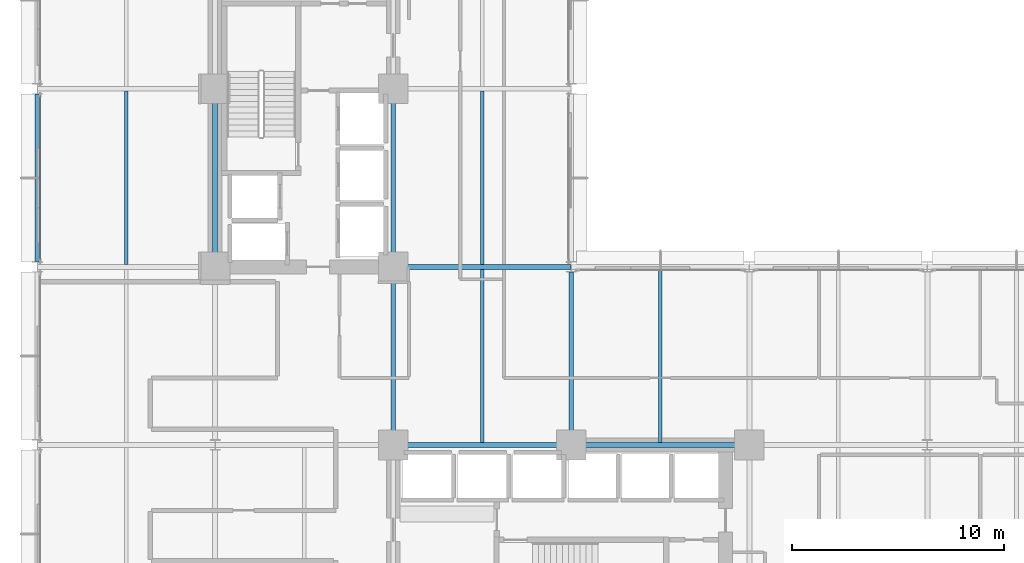
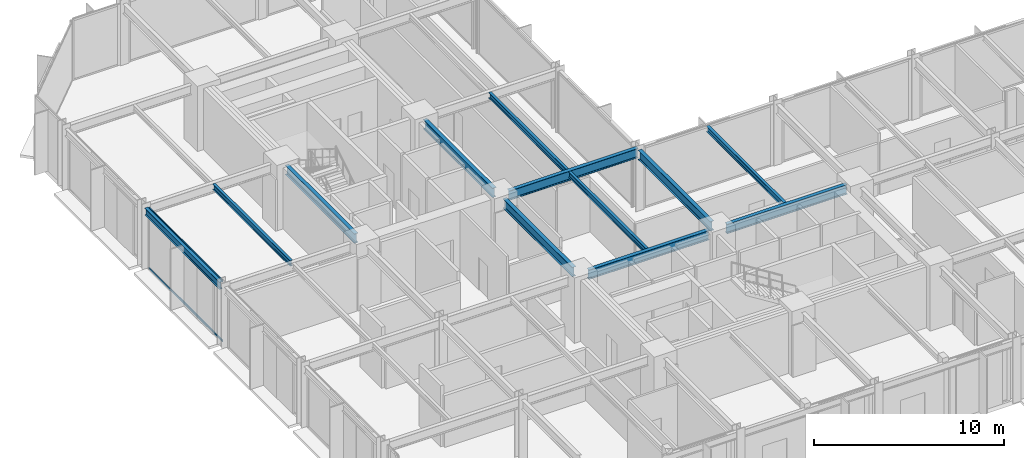
# One storey, part 9 of 30: 12 beams, 2 members, 1 element without a shape of its own.
"""IFC4 building model written with IfcOpenShell, lengths in metres."""

from ifc_helpers import new_model, si_unit, direction, frame, origin, origin_2d, place, context, subcontext, project, spatial, hollow_rectangle, i_section, extrude, material, layer, layer_set, material_profile, profile_set, type_object, element, aggregate, save


model = new_model("IFC4")

# Units and contexts
model_context = context("Model", 3, precision=1e-05, world=origin(), true_north=direction((0.0, 1.0)))
body_context = subcontext(model_context, "Body", "Model", "MODEL_VIEW")
ifc_project = project(units=[si_unit("LENGTHUNIT", "METRE"), si_unit("AREAUNIT", "SQUARE_METRE"), si_unit("VOLUMEUNIT", "CUBIC_METRE"), si_unit("PLANEANGLEUNIT", "RADIAN"), si_unit("MASSUNIT", "GRAM", prefix="KILO")], contexts=[model_context])

# Site, building, storey
site_placement = place(None, origin())
site = spatial("IfcSite", under=ifc_project, at=site_placement, CompositionType="ELEMENT")
building_placement = place(site_placement, origin())
building = spatial("IfcBuilding", under=site, at=building_placement, Name="Nerrivon Quay Data Exchange", CompositionType="ELEMENT")
storey_placement = place(building_placement, frame((0.0, 0.0, 62.60009765625)))
storey = spatial("IfcBuildingStorey", under=building, at=storey_placement, Name="L14", CompositionType="ELEMENT", Elevation=62.60009765625)

# Beams
ifc_material_1 = material(Name="Steel Grade 350", Category="steel")
ifc_material_profile_1 = material_profile(ifc_material_1, i_section(OverallWidth=0.22900390625, OverallDepth=0.612060546875, WebThickness=0.011962890625, FlangeThickness=0.01953125, FilletRadius=0.013916015625, at=origin_2d()), Name="610UB125")
ifc_profile_set_1 = profile_set([ifc_material_profile_1], Name="Steel Grade 350")
beam_type_1 = type_object("IfcBeamType", Name="BM-G1-610UB125", PredefinedType="BEAM", material=ifc_profile_set_1)
beam_1_placement = place(storey_placement, frame((17.340087890625, 16.800048828125, 3.618896484375), z_axis=(1.0, 0.0, 0.0), x_axis=(0.0, 1.0, 0.0)))
element("IfcBeam", 1, at=beam_1_placement, inside=storey, type_object=beam_type_1, Name="L14 EW Girder Y=16.8 (16.8..25.2)", PredefinedType="BEAM", context=body_context, shape_type="SweptSolid", body=[
    extrude(i_section(OverallWidth=0.22900390625, OverallDepth=0.612060546875, WebThickness=0.011962890625, FlangeThickness=0.01953125, FilletRadius=0.013916015625, at=origin_2d()), origin(), (0.0, 0.0, 1.0), 7.31982421875),
])
beam_2_placement = place(storey_placement, frame((25.739990234375, 16.800048828125, 3.618896484375), z_axis=(1.0, 0.0, 0.0), x_axis=(0.0, 1.0, 0.0)))
element("IfcBeam", 2, at=beam_2_placement, inside=storey, type_object=beam_type_1, Name="L14 EW Girder Y=16.8 (25.2..33.6)", PredefinedType="BEAM", context=body_context, shape_type="SweptSolid", body=[
    extrude(i_section(OverallWidth=0.22900390625, OverallDepth=0.612060546875, WebThickness=0.011962890625, FlangeThickness=0.01953125, FilletRadius=0.013916015625, at=origin_2d()), origin(), (0.0, 0.0, 1.0), 7.320068359375),
])
beam_3_placement = place(storey_placement, frame((17.340087890625, 25.199951171875, 3.618896484375), z_axis=(1.0, 0.0, 0.0), x_axis=(0.0, 1.0, 0.0)))
element("IfcBeam", 3, at=beam_3_placement, inside=storey, type_object=beam_type_1, Name="L14 EW Girder Y=25.2 (16.8..25.2)", PredefinedType="BEAM", context=body_context, shape_type="SweptSolid", body=[
    extrude(i_section(OverallWidth=0.22900390625, OverallDepth=0.612060546875, WebThickness=0.011962890625, FlangeThickness=0.01953125, FilletRadius=0.013916015625, at=origin_2d()), origin(), (0.0, 0.0, 1.0), 7.845947265625),
])
ifc_material_profile_2 = material_profile(ifc_material_1, i_section(OverallWidth=0.22802734375, OverallDepth=0.60205078125, WebThickness=0.010498046875, FlangeThickness=0.014892578125, FilletRadius=0.013916015625, at=origin_2d()), Name="610UB101")
ifc_profile_set_2 = profile_set([ifc_material_profile_2], Name="Steel Grade 350")
beam_type_2 = type_object("IfcBeamType", Name="BM-G2-610UB101", PredefinedType="BEAM", material=ifc_profile_set_2)
beam_4_placement = place(storey_placement, frame((8.39990234375, 25.739990234375, 3.6240234375), z_axis=(0.0, 1.0, 0.0), x_axis=(-1.0, 0.0, 0.0)))
element("IfcBeam", 4, at=beam_4_placement, inside=storey, type_object=beam_type_2, Name="L14 NS Girder X=8.4 (25.2..33.6)", PredefinedType="BEAM", context=body_context, shape_type="SweptSolid", body=[
    extrude(i_section(OverallWidth=0.22802734375, OverallDepth=0.60205078125, WebThickness=0.010498046875, FlangeThickness=0.014892578125, FilletRadius=0.013916015625, at=origin_2d()), origin(), (0.0, 0.0, 1.0), 7.320068359375),
])
beam_5_placement = place(storey_placement, frame((16.800048828125, 17.340087890625, 3.6240234375), z_axis=(0.0, 1.0, 0.0), x_axis=(-1.0, 0.0, 0.0)))
element("IfcBeam", 5, at=beam_5_placement, inside=storey, type_object=beam_type_2, Name="L14 NS Girder X=16.8 (16.8..25.2)", PredefinedType="BEAM", context=body_context, shape_type="SweptSolid", body=[
    extrude(i_section(OverallWidth=0.22802734375, OverallDepth=0.60205078125, WebThickness=0.010498046875, FlangeThickness=0.014892578125, FilletRadius=0.013916015625, at=origin_2d()), origin(), (0.0, 0.0, 1.0), 7.31982421875),
])
beam_6_placement = place(storey_placement, frame((16.800048828125, 25.739990234375, 3.6240234375), z_axis=(0.0, 1.0, 0.0), x_axis=(-1.0, 0.0, 0.0)))
element("IfcBeam", 6, at=beam_6_placement, inside=storey, type_object=beam_type_2, Name="L14 NS Girder X=16.8 (25.2..33.6)", PredefinedType="BEAM", context=body_context, shape_type="SweptSolid", body=[
    extrude(i_section(OverallWidth=0.22802734375, OverallDepth=0.60205078125, WebThickness=0.010498046875, FlangeThickness=0.014892578125, FilletRadius=0.013916015625, at=origin_2d()), origin(), (0.0, 0.0, 1.0), 7.320068359375),
])
beam_7_placement = place(storey_placement, frame((25.199951171875, 17.340087890625, 3.6240234375), z_axis=(0.0, 1.0, 0.0), x_axis=(-1.0, 0.0, 0.0)))
element("IfcBeam", 7, at=beam_7_placement, inside=storey, type_object=beam_type_2, Name="L14 NS Girder X=25.2 (16.8..25.2)", PredefinedType="BEAM", context=body_context, shape_type="SweptSolid", body=[
    extrude(i_section(OverallWidth=0.22802734375, OverallDepth=0.60205078125, WebThickness=0.010498046875, FlangeThickness=0.014892578125, FilletRadius=0.013916015625, at=origin_2d()), origin(), (0.0, 0.0, 1.0), 7.60986328125),
])
ifc_material_profile_3 = material_profile(ifc_material_1, i_section(OverallWidth=0.172119140625, OverallDepth=0.35888671875, WebThickness=0.008056640625, FlangeThickness=0.012939453125, FilletRadius=0.011474609375, at=origin_2d()), Name="360UB56.7")
ifc_profile_set_3 = profile_set([ifc_material_profile_3], Name="Steel Grade 350")
beam_type_3 = type_object("IfcBeamType", Name="BM-J3-360UB57", PredefinedType="JOIST", material=ifc_profile_set_3)
beam_8_placement = place(storey_placement, frame((4.199951171875, 25.314453125, 3.745361328125), z_axis=(0.0, 1.0, 0.0), x_axis=(-1.0, 0.0, 0.0)))
element("IfcBeam", 8, at=beam_8_placement, inside=storey, type_object=beam_type_3, Name="L14 Secondary Joist X=4.2 (25.2..33.6)", PredefinedType="JOIST", context=body_context, shape_type="SweptSolid", body=[
    extrude(i_section(OverallWidth=0.172119140625, OverallDepth=0.35888671875, WebThickness=0.008056640625, FlangeThickness=0.012939453125, FilletRadius=0.011474609375, at=origin_2d()), origin(), (0.0, 0.0, 1.0), 8.171142578125),
])
beam_9_placement = place(storey_placement, frame((21.0, 16.91455078125, 3.745361328125), z_axis=(0.0, 1.0, 0.0), x_axis=(-1.0, 0.0, 0.0)))
element("IfcBeam", 9, at=beam_9_placement, inside=storey, type_object=beam_type_3, Name="L14 Secondary Joist X=21.0 (16.8..25.2)", PredefinedType="JOIST", context=body_context, shape_type="SweptSolid", body=[
    extrude(i_section(OverallWidth=0.172119140625, OverallDepth=0.35888671875, WebThickness=0.008056640625, FlangeThickness=0.012939453125, FilletRadius=0.011474609375, at=origin_2d()), origin(), (0.0, 0.0, 1.0), 8.1708984375),
])
beam_10_placement = place(storey_placement, frame((21.0, 25.314453125, 3.745361328125), z_axis=(0.0, 1.0, 0.0), x_axis=(-1.0, 0.0, 0.0)))
element("IfcBeam", 10, at=beam_10_placement, inside=storey, type_object=beam_type_3, Name="L14 Secondary Joist X=21.0 (25.2..33.6)", PredefinedType="JOIST", context=body_context, shape_type="SweptSolid", body=[
    extrude(i_section(OverallWidth=0.172119140625, OverallDepth=0.35888671875, WebThickness=0.008056640625, FlangeThickness=0.012939453125, FilletRadius=0.011474609375, at=origin_2d()), origin(), (0.0, 0.0, 1.0), 8.171142578125),
])
beam_11_placement = place(storey_placement, frame((29.39990234375, 16.91455078125, 3.745361328125), z_axis=(0.0, 1.0, 0.0), x_axis=(-1.0, 0.0, 0.0)))
element("IfcBeam", 11, at=beam_11_placement, inside=storey, type_object=beam_type_3, Name="L14 Secondary Joist X=29.4 (16.8..25.2)", PredefinedType="JOIST", context=body_context, shape_type="SweptSolid", body=[
    extrude(i_section(OverallWidth=0.172119140625, OverallDepth=0.35888671875, WebThickness=0.008056640625, FlangeThickness=0.012939453125, FilletRadius=0.011474609375, at=origin_2d()), origin(), (0.0, 0.0, 1.0), 8.1708984375),
])
ifc_material_profile_4 = material_profile(ifc_material_1, i_section(OverallWidth=0.18994140625, OverallDepth=0.4541015625, WebThickness=0.008544921875, FlangeThickness=0.0126953125, FilletRadius=0.011474609375, at=origin_2d()), Name="460UB67.1")
ifc_profile_set_4 = profile_set([ifc_material_profile_4], Name="Steel Grade 350")
beam_type_4 = type_object("IfcBeamType", Name="BM-SP1-460UB67", PredefinedType="SPANDREL", material=ifc_profile_set_4)
beam_12_placement = place(storey_placement, frame((0.0, 25.449951171875, 3.697998046875), z_axis=(0.0, 1.0, 0.0), x_axis=(-1.0, 0.0, 0.0)))
element("IfcBeam", 12, at=beam_12_placement, inside=storey, type_object=beam_type_4, Name="L14 NS Girder X=0.0 (25.2..33.6)", PredefinedType="SPANDREL", context=body_context, shape_type="SweptSolid", body=[
    extrude(i_section(OverallWidth=0.18994140625, OverallDepth=0.4541015625, WebThickness=0.008544921875, FlangeThickness=0.0126953125, FilletRadius=0.011474609375, at=origin_2d()), origin(), (0.0, 0.0, 1.0), 7.900146484375),
])

# Curtain wall, members
ifc_material_2 = material(Name="Anodised aluminium 6063-T6", Category="aluminium")
ifc_layer = layer(ifc_material_2, 0.219970703125)
ifc_layer_set = layer_set([ifc_layer], Name="Anodised aluminium 6063-T6")
curtain_wall_type = type_object("IfcCurtainWallType", Name="CW-SYS-01", PredefinedType="NOTDEFINED", material=ifc_layer_set)
curtain_wall_placement = place(storey_placement, origin())
curtain_wall = element("IfcCurtainWall", 13, at=curtain_wall_placement, inside=storey, type_object=curtain_wall_type, Name="L14 Unitised Curtain Wall 20", PredefinedType="NOTDEFINED")
ifc_material_profile_5 = material_profile(ifc_material_2, hollow_rectangle(XDim=0.06005859375, YDim=0.1201171875, WallThickness=0.003173828125, at=origin_2d()), Name="ALU-TRAN-120x60")
ifc_profile_set_5 = profile_set([ifc_material_profile_5], Name="Anodised aluminium 6063-T6")
member_type = type_object("IfcMemberType", Name="CWT-120x60", PredefinedType="USERDEFINED", material=ifc_profile_set_5)
member_1_placement = place(storey_placement, frame((0.139892578125, 25.52490234375, 0.032470703125), z_axis=(0.0, 1.0, 0.0), x_axis=(-1.0, 0.0, 0.0)))
member_1 = element("IfcMember", 14, at=member_1_placement, type_object=member_type, Name="CW01 transom 1.1", ObjectType="TRANSOM", PredefinedType="USERDEFINED", context=body_context, shape_type="SweptSolid", body=[
    extrude(hollow_rectangle(XDim=0.06005859375, YDim=0.1201171875, WallThickness=0.003173828125, at=origin_2d()), origin(), (0.0, 0.0, 1.0), 7.75),
])
member_2_placement = place(storey_placement, frame((0.139892578125, 25.52490234375, 3.892333984375), z_axis=(0.0, 1.0, 0.0), x_axis=(-1.0, 0.0, 0.0)))
member_2 = element("IfcMember", 15, at=member_2_placement, type_object=member_type, Name="CW01 transom 1.2", ObjectType="TRANSOM", PredefinedType="USERDEFINED", context=body_context, shape_type="SweptSolid", body=[
    extrude(hollow_rectangle(XDim=0.06005859375, YDim=0.1201171875, WallThickness=0.003173828125, at=origin_2d()), origin(), (0.0, 0.0, 1.0), 7.75),
])
aggregate(curtain_wall, [member_1, member_2])

save(model, "model.ifc")
